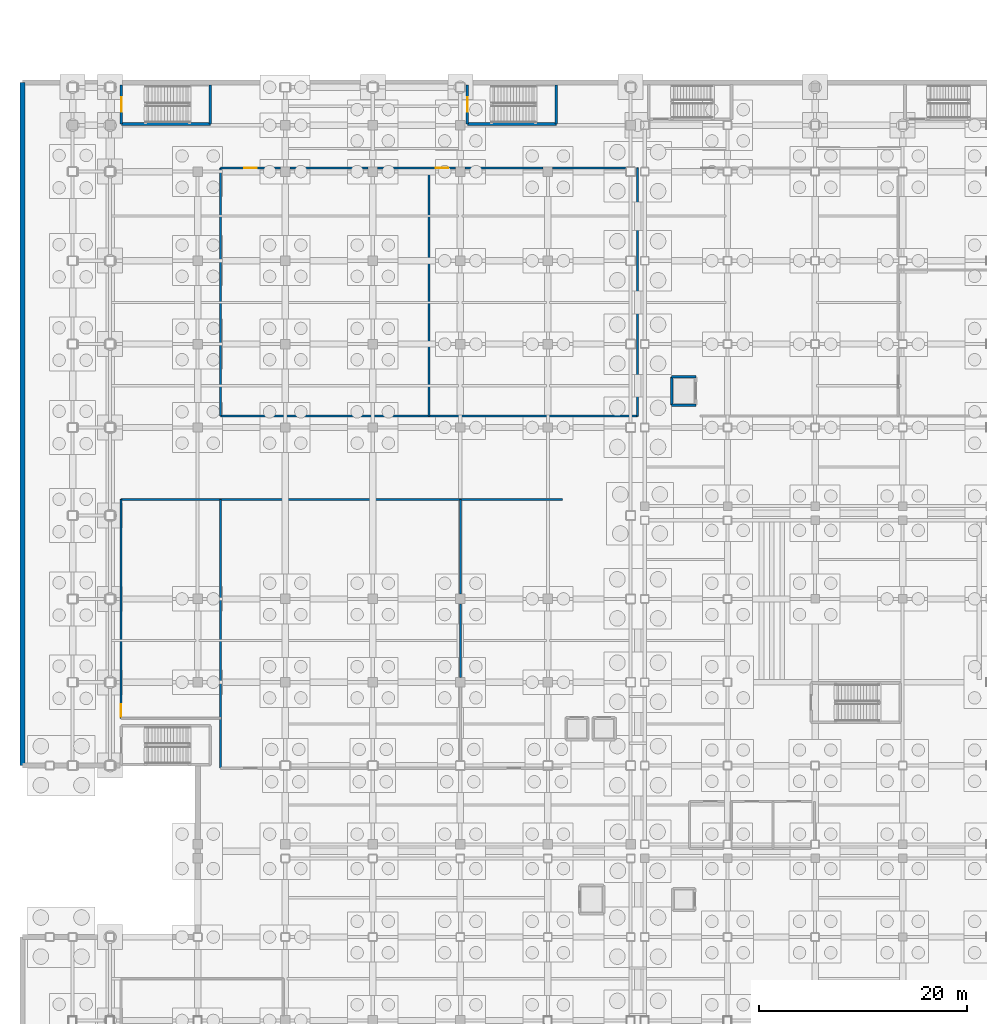
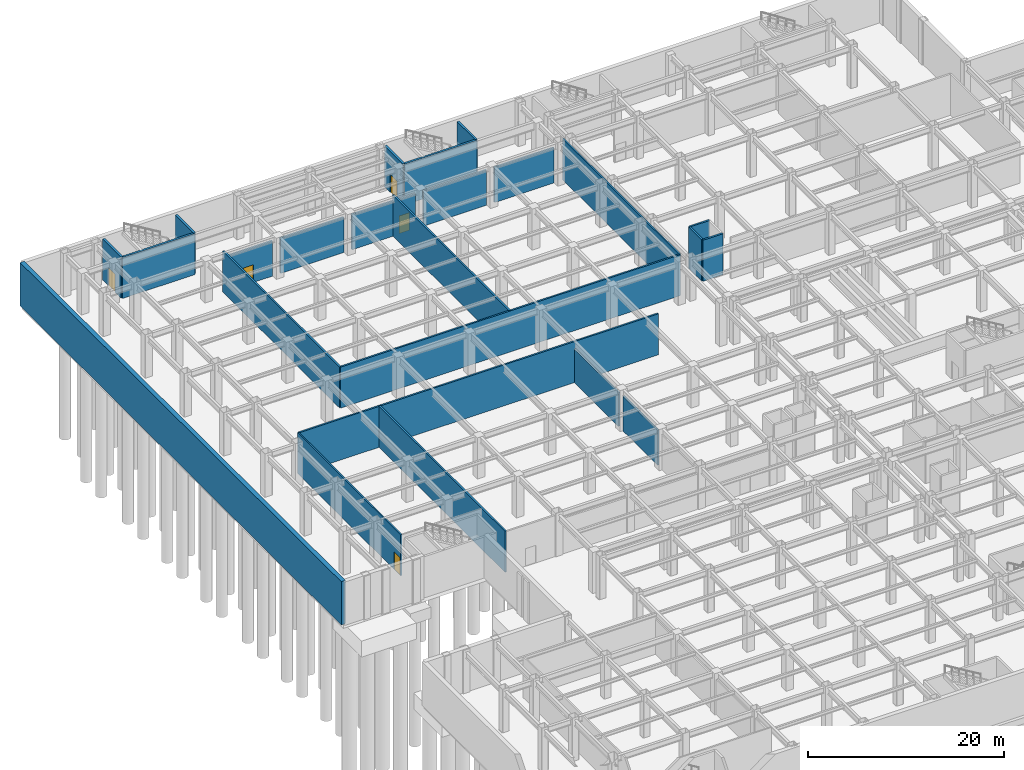
# One storey, part 34 of 55: 24 walls, 5 doors, 5 openings.
"""IFC4 building model written with IfcOpenShell, lengths in metres."""

import ifcopenshell
import ifcopenshell.guid

model = None  # the IFC model being written
_history = None  # IfcOwnerHistory: only IFC2X3 demands one
_inside = {}  # id of a spatial element -> (the spatial element, [elements in it])
_under = {}  # id of a project, library or spatial element -> (it, [spatial elements below it])
_declared = {}  # id of a project -> (the project, [libraries it declares])
_typed = {}  # id of a type object -> (the type object, [elements of that type])
_made_of = {}  # id of a material, layer set ... -> (it, [elements and type objects made of it])


def new_model(schema):
    """Start an empty IFC model of exactly this schema.

    Asked for "IFC4X3", IfcOpenShell would pick the latest addendum, in which some entities
    have other attributes; the version numbers below select the first issue.
    IFC2X3 requires an IfcOwnerHistory on every rooted entity: one is made here for all.
    """
    global model, _history
    if schema == "IFC4X3":
        model = ifcopenshell.file(schema_version=(4, 3, 0, 0))
    else:
        model = ifcopenshell.file(schema=schema)
    _inside.clear()
    _under.clear()
    _declared.clear()
    _typed.clear()
    _made_of.clear()
    _history = None
    if model.schema == "IFC2X3":
        org = make("IfcOrganization", Name="unknown")
        user = make(
            "IfcPersonAndOrganization",
            ThePerson=make("IfcPerson", FamilyName="unknown"),
            TheOrganization=org,
        )
        app = make(
            "IfcApplication",
            ApplicationDeveloper=org,
            Version="unknown",
            ApplicationFullName="unknown",
            ApplicationIdentifier="unknown",
        )
        _history = make(
            "IfcOwnerHistory",
            OwningUser=user,
            OwningApplication=app,
            ChangeAction="ADDED",
            CreationDate=0,
        )
    return model


def make(cls, **values):
    """One entity of the class cls with the attributes given. An attribute that is None is left unset."""
    return model.create_entity(
        cls, **{name: value for name, value in values.items() if value is not None}
    )


def rooted(cls, **values):
    """An entity with a GlobalId (a new one), such as an element, a storey or a relation."""
    return make(cls, GlobalId=ifcopenshell.guid.new(), OwnerHistory=_history, **values)


def si_unit(unit_type, name, prefix=None):
    """IfcSIUnit, for example si_unit("LENGTHUNIT", "METRE", prefix="MILLI")."""
    return make("IfcSIUnit", UnitType=unit_type, Prefix=prefix, Name=name)


def assignment(units):
    """IfcUnitAssignment: the units of a project."""
    return None if units is None else make("IfcUnitAssignment", Units=units)


def point(xyz):
    """IfcCartesianPoint."""
    return None if xyz is None else make("IfcCartesianPoint", Coordinates=xyz)


def direction(xyz):
    """IfcDirection."""
    return None if xyz is None else make("IfcDirection", DirectionRatios=xyz)


def frame(location, z_axis=None, x_axis=None):
    """IfcAxis2Placement3D, a coordinate frame: its origin and axes. An axis left out is left unset."""
    return make(
        "IfcAxis2Placement3D",
        Location=point(location),
        Axis=direction(z_axis),
        RefDirection=direction(x_axis),
    )


def frame_2d(location, x_axis=None):
    """IfcAxis2Placement2D, a coordinate frame in the plane: its origin and x axis."""
    return make(
        "IfcAxis2Placement2D", Location=point(location), RefDirection=direction(x_axis)
    )


def origin():
    """The frame at (0, 0, 0) with its axes left unset."""
    return frame((0.0, 0.0, 0.0))


def place(relative_to, where):
    """IfcLocalPlacement: puts the frame where relative to a parent placement (None: the world)."""
    return make(
        "IfcLocalPlacement", PlacementRelTo=relative_to, RelativePlacement=where
    )


def context(
    kind, dimensions, precision=None, world=None, true_north=None, identifier=None
):
    """IfcGeometricRepresentationContext, for example the 3D "Model" context."""
    return make(
        "IfcGeometricRepresentationContext",
        ContextIdentifier=identifier,
        ContextType=kind,
        CoordinateSpaceDimension=dimensions,
        Precision=precision,
        WorldCoordinateSystem=world,
        TrueNorth=true_north,
    )


def subcontext(parent, identifier, kind, view, scale=None):
    """IfcGeometricRepresentationSubContext, for example "Body" below "Model"."""
    return make(
        "IfcGeometricRepresentationSubContext",
        ContextIdentifier=identifier,
        ContextType=kind,
        ParentContext=parent,
        TargetScale=scale,
        TargetView=view,
    )


def project(units=None, contexts=None):
    """IfcProject with its units and contexts."""
    return rooted(
        "IfcProject",
        Name="project",
        RepresentationContexts=contexts,
        UnitsInContext=assignment(units),
    )


def spatial(cls, under=None, at=None, **own):
    """A site, building, storey or space (cls), placed at a placement, below another one or the project."""
    s = rooted(cls, ObjectPlacement=at, **own)
    if under is not None:
        _under.setdefault(under.id(), (under, []))[1].append(s)
    return s


def profile(cls, at=None, kind="AREA", **sizes):
    """A parametric profile (cls). Its sizes go by their IFC names, for example OverallWidth=200.0."""
    return make(cls, ProfileType=kind, Position=at, **sizes)


def rectangle(**sizes):
    """IfcRectangleProfileDef."""
    return profile("IfcRectangleProfileDef", **sizes)


def extrude(swept, where, along, depth):
    """IfcExtrudedAreaSolid: the profile swept, set in the frame where, extruded along a direction by depth."""
    return make(
        "IfcExtrudedAreaSolid",
        SweptArea=swept,
        Position=where,
        ExtrudedDirection=direction(along),
        Depth=depth,
    )


def shape(context_of_items, identifier, shape_type, items):
    """IfcShapeRepresentation: the items that make up one representation, for example the "Body"."""
    return make(
        "IfcShapeRepresentation",
        ContextOfItems=context_of_items,
        RepresentationIdentifier=identifier,
        RepresentationType=shape_type,
        Items=items,
    )


def material(Name=None, Category=None):
    """IfcMaterial."""
    return make("IfcMaterial", Name=Name, Category=Category)


def layer(
    of_material, thickness, ventilated=None, Name=None, Category=None, Priority=None
):
    """IfcMaterialLayer: one layer of a wall or slab, of a material (None: an air gap)."""
    return make(
        "IfcMaterialLayer",
        Material=of_material,
        LayerThickness=thickness,
        IsVentilated=ventilated,
        Name=Name,
        Category=Category,
        Priority=Priority,
    )


def layer_set(layers, Name=None):
    """IfcMaterialLayerSet."""
    return make("IfcMaterialLayerSet", MaterialLayers=layers, LayerSetName=Name)


def made_of(thing, what):
    """Note that an element or type object is made of a material, layer set ...; save() writes the relation."""
    if what is not None:
        _made_of.setdefault(what.id(), (what, []))[1].append(thing)
    return thing


def type_object(cls, material=None, **own):
    """A type object (cls), such as IfcWallType, which elements share."""
    return made_of(rooted(cls, **own), material)


def element(
    cls,
    number,
    at=None,
    inside=None,
    cuts=None,
    type_object=None,
    material=None,
    context=None,
    identifier="Body",
    shape_type=None,
    held_by="IfcProductDefinitionShape",
    body=None,
    shapes=None,
    **own,
):
    """One element of the class cls, such as IfcWall. Its Tag is "e" and its number.

    at: its placement. inside: the storey or other place that contains it. cuts: it is an
    opening in that element (IfcRelVoidsElement). A single representation is given by context,
    identifier, shape_type and body (its items); several are given by shapes. held_by: the class
    of the entity that holds the representations. save() writes the other relations.
    """
    e = rooted(cls, Tag="e%d" % number, ObjectPlacement=at, **own)
    if body is not None:
        shapes = [shape(context, identifier, shape_type, body)]
    if shapes is not None:
        e.Representation = make(held_by, Representations=shapes)
    if inside is not None:
        _inside.setdefault(inside.id(), (inside, []))[1].append(e)
    if cuts is not None:
        rooted(
            "IfcRelVoidsElement", RelatingBuildingElement=cuts, RelatedOpeningElement=e
        )
    if type_object is not None:
        _typed.setdefault(type_object.id(), (type_object, []))[1].append(e)
    return made_of(e, material)


def fill(opening, filler):
    """IfcRelFillsElement: the door or window that sits in an opening."""
    return rooted(
        "IfcRelFillsElement",
        RelatingOpeningElement=opening,
        RelatedBuildingElement=filler,
    )


def aggregate(whole, parts):
    """IfcRelAggregates: a whole, such as a stair, and the parts it consists of."""
    return rooted("IfcRelAggregates", RelatingObject=whole, RelatedObjects=parts)


def save(model, path):
    """Write the relations noted so far, then the file.

    IfcRelAggregates (storeys below a building ...), IfcRelContainedInSpatialStructure (elements
    in a storey), IfcRelDefinesByType, IfcRelAssociatesMaterial and IfcRelDeclares: one each for
    every whole, place, type object, material and project.
    """
    for whole, parts in _under.values():
        aggregate(whole, parts)
    for where, things in _inside.values():
        rooted(
            "IfcRelContainedInSpatialStructure",
            RelatedElements=things,
            RelatingStructure=where,
        )
    for kind, things in _typed.values():
        rooted("IfcRelDefinesByType", RelatedObjects=things, RelatingType=kind)
    for what, things in _made_of.values():
        rooted("IfcRelAssociatesMaterial", RelatedObjects=things, RelatingMaterial=what)
    for by, libraries in _declared.values():
        rooted("IfcRelDeclares", RelatingContext=by, RelatedDefinitions=libraries)
    model.write(path)


model = new_model("IFC4")

# Units and contexts
model_context = context("Model", 3, precision=1e-05, world=origin(), true_north=direction((0.0, 1.0)))
body_context = subcontext(model_context, "Body", "Model", "MODEL_VIEW")
ifc_project = project(units=[si_unit("LENGTHUNIT", "METRE"), si_unit("AREAUNIT", "SQUARE_METRE"), si_unit("VOLUMEUNIT", "CUBIC_METRE"), si_unit("PLANEANGLEUNIT", "RADIAN"), si_unit("MASSUNIT", "GRAM", prefix="KILO")], contexts=[model_context])

# Site, building, storey
site_placement = place(None, origin())
site = spatial("IfcSite", under=ifc_project, at=site_placement, CompositionType="ELEMENT")
building_placement = place(site_placement, origin())
building = spatial("IfcBuilding", under=site, at=building_placement, Name="Kazehara Bluff Congress Hotel", CompositionType="ELEMENT")
storey_placement = place(building_placement, frame((0.0, 0.0, -5.39990234375)))
storey = spatial("IfcBuildingStorey", under=building, at=storey_placement, Name="B1", CompositionType="ELEMENT", Elevation=-5.39990234375)

# Wall, opening, door
ifc_material_1 = material(Name="Concrete C40/50", Category="concrete")
ifc_layer_1 = layer(ifc_material_1, 0.25)
ifc_layer_set_1 = layer_set([ifc_layer_1], Name="Concrete C40/50")
wall_type_1 = type_object("IfcWallType", Name="TP-CW-RC", PredefinedType="SHEAR", material=ifc_layer_set_1)
wall_1_placement = place(storey_placement, frame((9.47509765625, 110.02490234375, 0.0), z_axis=(0.0, 0.0, 1.0), x_axis=(0.0, 1.0, 0.0)))
wall_1 = element("IfcWall", 1, at=wall_1_placement, inside=storey, type_object=wall_type_1, Name="B1 ST-01 core wall near", PredefinedType="SHEAR", context=body_context, shape_type="SweptSolid", body=[
    extrude(rectangle(XDim=3.75, YDim=0.25, at=frame_2d((1.875, 0.0))), origin(), (0.0, 0.0, 1.0), 5.119873046875),
])
opening_1_placement = place(wall_1_placement, frame((1.175048828125, 0.0, 0.0)))
opening_1 = element("IfcOpeningElement", 2, at=opening_1_placement, cuts=wall_1, Name="Opening FD-03", PredefinedType="OPENING", context=body_context, shape_type="SweptSolid", body=[
    extrude(rectangle(XDim=1.39990234375, YDim=2.25, at=frame_2d((0.699951171875, 1.125))), frame((0.0, 0.135009765625, 0.0), z_axis=(0.0, -1.0, 0.0), x_axis=(1.0, 0.0, 0.0)), (0.0, 0.0, 1.0), 0.27001953125),
])
ifc_material_2 = material(Name="Fire-rated painted steel leaf", Category="steel")
door_type_1 = type_object("IfcDoorType", Name="TP-FD-03", OperationType="NOTDEFINED", PredefinedType="DOOR", material=ifc_material_2)
door_1_placement = place(opening_1_placement, origin())
door_1 = element("IfcDoor", 3, at=door_1_placement, inside=storey, type_object=door_type_1, Name="B1 ST-01 fire stair door", OperationType="SINGLE_SWING_RIGHT", OverallHeight=2.25, OverallWidth=1.39990234375, PredefinedType="DOOR", context=body_context, shape_type="SweptSolid", body=[
    extrude(rectangle(XDim=1.39990234375, YDim=2.25, at=frame_2d((0.699951171875, 1.125))), frame((0.0, 0.02490234375, 0.0), z_axis=(0.0, -1.0, 0.0), x_axis=(1.0, 0.0, 0.0)), (0.0, 0.0, 1.0), 0.050048828125),
])
fill(opening_1, door_1)

# Walls
wall_2_placement = place(storey_placement, frame((18.02490234375, 113.77490234375, 0.0), z_axis=(0.0, 0.0, 1.0), x_axis=(0.0, -1.0, 0.0)))
element("IfcWall", 4, at=wall_2_placement, inside=storey, type_object=wall_type_1, Name="B1 ST-01 core wall far", PredefinedType="SHEAR", context=body_context, shape_type="SweptSolid", body=[
    extrude(rectangle(XDim=3.75, YDim=0.25, at=frame_2d((1.875, 0.0))), origin(), (0.0, 0.0, 1.0), 5.119873046875),
])
wall_3_placement = place(storey_placement, frame((18.02490234375, 110.02490234375, 0.0), z_axis=(0.0, 0.0, 1.0), x_axis=(-1.0, 0.0, 0.0)))
element("IfcWall", 5, at=wall_3_placement, inside=storey, type_object=wall_type_1, Name="B1 ST-01 core wall left", PredefinedType="SHEAR", context=body_context, shape_type="SweptSolid", body=[
    extrude(rectangle(XDim=8.5498046875, YDim=0.25, at=frame_2d((4.27490234375, 0.0))), origin(), (0.0, 0.0, 1.0), 5.119873046875),
])

# Wall, opening, door
wall_4_placement = place(storey_placement, frame((42.675048828125, 110.02490234375, 0.0), z_axis=(0.0, 0.0, 1.0), x_axis=(0.0, 1.0, 0.0)))
wall_4 = element("IfcWall", 6, at=wall_4_placement, inside=storey, type_object=wall_type_1, Name="B1 ST-02 core wall near", PredefinedType="SHEAR", context=body_context, shape_type="SweptSolid", body=[
    extrude(rectangle(XDim=3.75, YDim=0.25, at=frame_2d((1.875, 0.0))), origin(), (0.0, 0.0, 1.0), 5.119873046875),
])
opening_2_placement = place(wall_4_placement, frame((1.175048828125, 0.0, 0.0)))
opening_2 = element("IfcOpeningElement", 7, at=opening_2_placement, cuts=wall_4, Name="Opening FD-03", PredefinedType="OPENING", context=body_context, shape_type="SweptSolid", body=[
    extrude(rectangle(XDim=1.39990234375, YDim=2.25, at=frame_2d((0.699951171875, 1.125))), frame((0.0, 0.135009765625, 0.0), z_axis=(0.0, -1.0, 0.0), x_axis=(1.0, 0.0, 0.0)), (0.0, 0.0, 1.0), 0.27001953125),
])
door_2_placement = place(opening_2_placement, origin())
door_2 = element("IfcDoor", 8, at=door_2_placement, inside=storey, type_object=door_type_1, Name="B1 ST-02 fire stair door", OperationType="SINGLE_SWING_LEFT", OverallHeight=2.25, OverallWidth=1.39990234375, PredefinedType="DOOR", context=body_context, shape_type="SweptSolid", body=[
    extrude(rectangle(XDim=1.39990234375, YDim=2.25, at=frame_2d((0.699951171875, 1.125))), frame((0.0, 0.02490234375, 0.0), z_axis=(0.0, -1.0, 0.0), x_axis=(1.0, 0.0, 0.0)), (0.0, 0.0, 1.0), 0.050048828125),
])
fill(opening_2, door_2)

# Walls
wall_5_placement = place(storey_placement, frame((51.22509765625, 113.77490234375, 0.0), z_axis=(0.0, 0.0, 1.0), x_axis=(0.0, -1.0, 0.0)))
element("IfcWall", 9, at=wall_5_placement, inside=storey, type_object=wall_type_1, Name="B1 ST-02 core wall far", PredefinedType="SHEAR", context=body_context, shape_type="SweptSolid", body=[
    extrude(rectangle(XDim=3.75, YDim=0.25, at=frame_2d((1.875, 0.0))), origin(), (0.0, 0.0, 1.0), 5.119873046875),
])
wall_6_placement = place(storey_placement, frame((51.22509765625, 110.02490234375, 0.0), z_axis=(0.0, 0.0, 1.0), x_axis=(-1.0, 0.0, 0.0)))
element("IfcWall", 10, at=wall_6_placement, inside=storey, type_object=wall_type_1, Name="B1 ST-02 core wall left", PredefinedType="SHEAR", context=body_context, shape_type="SweptSolid", body=[
    extrude(rectangle(XDim=8.550048828125, YDim=0.25, at=frame_2d((4.27490234375, 0.0))), origin(), (0.0, 0.0, 1.0), 5.119873046875),
])
ifc_material_3 = material(Name="Concrete C40/50", Category="concrete")
ifc_layer_2 = layer(ifc_material_3, 0.199951171875)
ifc_layer_set_2 = layer_set([ifc_layer_2], Name="Concrete C40/50")
wall_type_2 = type_object("IfcWallType", Name="TP-FW-RC", PredefinedType="SOLIDWALL", material=ifc_layer_set_2)
wall_7_placement = place(storey_placement, frame((9.449951171875, 74.0, 0.0), z_axis=(0.0, 0.0, 1.0), x_axis=(1.0, 0.0, 0.0)))
element("IfcWall", 11, at=wall_7_placement, inside=storey, type_object=wall_type_2, Name="B1 partition FW-RC 15", PredefinedType="SOLIDWALL", context=body_context, shape_type="SweptSolid", body=[
    extrude(rectangle(XDim=42.35009765625, YDim=0.199951171875, at=frame_2d((21.175048828125, 0.0))), origin(), (0.0, 0.0, 1.0), 5.10498046875),
])
wall_8_placement = place(storey_placement, frame((19.0, 82.0, 0.0), z_axis=(0.0, 0.0, 1.0), x_axis=(1.0, 0.0, 0.0)))
element("IfcWall", 12, at=wall_8_placement, inside=storey, type_object=wall_type_2, Name="B1 partition FW-RC 16", PredefinedType="SOLIDWALL", context=body_context, shape_type="SweptSolid", body=[
    extrude(rectangle(XDim=40.0, YDim=0.199951171875, at=frame_2d((20.0, 0.0))), origin(), (0.0, 0.0, 1.0), 5.10498046875),
])

# Wall, opening, door
wall_9_placement = place(storey_placement, frame((19.0, 105.800048828125, 0.0), z_axis=(0.0, 0.0, 1.0), x_axis=(1.0, 0.0, 0.0)))
wall_9 = element("IfcWall", 13, at=wall_9_placement, inside=storey, type_object=wall_type_2, Name="B1 partition FW-RC 20", PredefinedType="SOLIDWALL", context=body_context, shape_type="SweptSolid", body=[
    extrude(rectangle(XDim=5.72998046875, YDim=0.199951171875, at=frame_2d((2.864990234375, 0.0))), origin(), (0.0, 0.0, 1.0), 4.39501953125),
])
opening_3_placement = place(wall_9_placement, frame((2.264892578125, 0.0, 0.0)))
opening_3 = element("IfcOpeningElement", 14, at=opening_3_placement, cuts=wall_9, Name="Opening FD-02", PredefinedType="OPENING", context=body_context, shape_type="SweptSolid", body=[
    extrude(rectangle(XDim=1.199951171875, YDim=2.199951171875, at=frame_2d((0.60009765625, 1.10009765625))), frame((0.0, 0.10986328125, 0.0), z_axis=(0.0, -1.0, 0.0), x_axis=(1.0, 0.0, 0.0)), (0.0, 0.0, 1.0), 0.219970703125),
])
ifc_material_4 = material(Name="Fire-rated painted steel leaf", Category="steel")
door_type_2 = type_object("IfcDoorType", Name="TP-FD-02", OperationType="NOTDEFINED", PredefinedType="DOOR", material=ifc_material_4)
door_3_placement = place(opening_3_placement, origin())
door_3 = element("IfcDoor", 15, at=door_3_placement, inside=storey, type_object=door_type_2, Name="B1 Fire Sprinkler Tank and Hydrant Pump Plant door", OperationType="SINGLE_SWING_LEFT", OverallHeight=2.199951171875, OverallWidth=1.199951171875, PredefinedType="DOOR", context=body_context, shape_type="SweptSolid", body=[
    extrude(rectangle(XDim=1.199951171875, YDim=2.199951171875, at=frame_2d((0.60009765625, 1.10009765625))), frame((0.0, 0.02490234375, 0.0), z_axis=(0.0, -1.0, 0.0), x_axis=(1.0, 0.0, 0.0)), (0.0, 0.0, 1.0), 0.050048828125),
])
fill(opening_3, door_3)

# Wall
wall_10_placement = place(storey_placement, frame((25.669921875, 105.800048828125, 0.0), z_axis=(0.0, 0.0, 1.0), x_axis=(1.0, 0.0, 0.0)))
element("IfcWall", 16, at=wall_10_placement, inside=storey, type_object=wall_type_2, Name="B1 partition FW-RC 21", PredefinedType="SOLIDWALL", context=body_context, shape_type="SweptSolid", body=[
    extrude(rectangle(XDim=7.4599609375, YDim=0.199951171875, at=frame_2d((3.72998046875, 0.0))), origin(), (0.0, 0.0, 1.0), 4.39501953125),
])

# Wall, opening, door
wall_11_placement = place(storey_placement, frame((34.070068359375, 105.800048828125, 0.0), z_axis=(0.0, 0.0, 1.0), x_axis=(1.0, 0.0, 0.0)))
wall_11 = element("IfcWall", 17, at=wall_11_placement, inside=storey, type_object=wall_type_2, Name="B1 partition FW-RC 22", PredefinedType="SOLIDWALL", context=body_context, shape_type="SweptSolid", body=[
    extrude(rectangle(XDim=7.4599609375, YDim=0.199951171875, at=frame_2d((3.72998046875, 0.0))), origin(), (0.0, 0.0, 1.0), 4.39501953125),
])
opening_4_placement = place(wall_11_placement, frame((5.594970703125, 0.0, 0.0)))
opening_4 = element("IfcOpeningElement", 18, at=opening_4_placement, cuts=wall_11, Name="Opening FD-02", PredefinedType="OPENING", context=body_context, shape_type="SweptSolid", body=[
    extrude(rectangle(XDim=1.199951171875, YDim=2.199951171875, at=frame_2d((0.60009765625, 1.10009765625))), frame((0.0, 0.10986328125, 0.0), z_axis=(0.0, -1.0, 0.0), x_axis=(1.0, 0.0, 0.0)), (0.0, 0.0, 1.0), 0.219970703125),
])
door_4_placement = place(opening_4_placement, origin())
door_4 = element("IfcDoor", 19, at=door_4_placement, inside=storey, type_object=door_type_2, Name="B1 Cold Storage and Dry Provision Store door", OperationType="SINGLE_SWING_LEFT", OverallHeight=2.199951171875, OverallWidth=1.199951171875, PredefinedType="DOOR", context=body_context, shape_type="SweptSolid", body=[
    extrude(rectangle(XDim=1.199951171875, YDim=2.199951171875, at=frame_2d((0.60009765625, 1.10009765625))), frame((0.0, 0.02490234375, 0.0), z_axis=(0.0, -1.0, 0.0), x_axis=(1.0, 0.0, 0.0)), (0.0, 0.0, 1.0), 0.050048828125),
])
fill(opening_4, door_4)

# Walls
wall_12_placement = place(storey_placement, frame((42.469970703125, 105.800048828125, 0.0), z_axis=(0.0, 0.0, 1.0), x_axis=(1.0, 0.0, 0.0)))
element("IfcWall", 20, at=wall_12_placement, inside=storey, type_object=wall_type_2, Name="B1 partition FW-RC 23", PredefinedType="SOLIDWALL", context=body_context, shape_type="SweptSolid", body=[
    extrude(rectangle(XDim=7.4599609375, YDim=0.199951171875, at=frame_2d((3.72998046875, 0.0))), origin(), (0.0, 0.0, 1.0), 4.39501953125),
])
wall_13_placement = place(storey_placement, frame((50.8701171875, 105.800048828125, 0.0), z_axis=(0.0, 0.0, 1.0), x_axis=(1.0, 0.0, 0.0)))
element("IfcWall", 21, at=wall_13_placement, inside=storey, type_object=wall_type_2, Name="B1 partition FW-RC 24", PredefinedType="SOLIDWALL", context=body_context, shape_type="SweptSolid", body=[
    extrude(rectangle(XDim=7.009765625, YDim=0.199951171875, at=frame_2d((3.5048828125, 0.0))), origin(), (0.0, 0.0, 1.0), 4.39501953125),
])
wall_14_placement = place(storey_placement, frame((19.0, 48.199951171875, 0.0), z_axis=(0.0, 0.0, 1.0), x_axis=(0.0, 1.0, 0.0)))
element("IfcWall", 22, at=wall_14_placement, inside=storey, type_object=wall_type_2, Name="B1 partition FW-RC 30", PredefinedType="SOLIDWALL", context=body_context, shape_type="SweptSolid", body=[
    extrude(rectangle(XDim=25.800048828125, YDim=0.199951171875, at=frame_2d((12.89990234375, 0.0))), origin(), (0.0, 0.0, 1.0), 5.10498046875),
])
for number, where, z_axis, x_axis, name in (
    (23, (19.0, 82.0, 0.0), (0.0, 0.0, 1.0), (0.0, 1.0, 0.0), "B1 partition FW-RC 31"),
    (24, (39.0, 82.0, 0.0), (0.0, 0.0, 1.0), (0.0, 1.0, 0.0), "B1 partition FW-RC 36"),
):
    element("IfcWall", number, at=place(storey_placement, frame(where, z_axis=z_axis, x_axis=x_axis)), inside=storey, type_object=wall_type_2, Name=name, PredefinedType="SOLIDWALL", context=body_context, shape_type="SweptSolid", body=[
        extrude(rectangle(XDim=23.800048828125, YDim=0.199951171875, at=frame_2d((11.89990234375, 0.0))), origin(), (0.0, 0.0, 1.0), 5.10498046875),
    ])
wall_15_placement = place(storey_placement, frame((42.0, 56.919921875, 0.0), z_axis=(0.0, 0.0, 1.0), x_axis=(0.0, 1.0, 0.0)))
element("IfcWall", 25, at=wall_15_placement, inside=storey, type_object=wall_type_2, Name="B1 partition FW-RC 38", PredefinedType="SOLIDWALL", context=body_context, shape_type="SweptSolid", body=[
    extrude(rectangle(XDim=7.06005859375, YDim=0.199951171875, at=frame_2d((3.530029296875, 0.0))), origin(), (0.0, 0.0, 1.0), 4.344970703125),
])
wall_16_placement = place(storey_placement, frame((42.0, 64.919921875, 0.0), z_axis=(0.0, 0.0, 1.0), x_axis=(0.0, 1.0, 0.0)))
element("IfcWall", 26, at=wall_16_placement, inside=storey, type_object=wall_type_2, Name="B1 partition FW-RC 39", PredefinedType="SOLIDWALL", context=body_context, shape_type="SweptSolid", body=[
    extrude(rectangle(XDim=9.080078125, YDim=0.199951171875, at=frame_2d((4.5400390625, 0.0))), origin(), (0.0, 0.0, 1.0), 4.19482421875),
])

# Wall, opening, door
ifc_material_5 = material(Name="Fire-rated gypsum board stud partition")
ifc_layer_3 = layer(ifc_material_5, 0.169921875)
ifc_layer_set_3 = layer_set([ifc_layer_3], Name="Fire-rated gypsum board stud partition")
wall_type_3 = type_object("IfcWallType", Name="TP-PT-180", PredefinedType="PARTITIONING", material=ifc_layer_set_3)
wall_17_placement = place(storey_placement, frame((9.449951171875, 53.0, 0.0), z_axis=(0.0, 0.0, 1.0), x_axis=(0.0, 1.0, 0.0)))
wall_17 = element("IfcWall", 27, at=wall_17_placement, inside=storey, type_object=wall_type_3, Name="B1 partition PT-180 29", PredefinedType="PARTITIONING", context=body_context, shape_type="SweptSolid", body=[
    extrude(rectangle(XDim=21.0, YDim=0.169921875, at=frame_2d((10.5, 0.0))), origin(), (0.0, 0.0, 1.0), 5.10498046875),
])
opening_5_placement = place(wall_17_placement, frame((0.1201171875, 0.0, 0.0)))
opening_5 = element("IfcOpeningElement", 28, at=opening_5_placement, cuts=wall_17, Name="Opening FD-02", PredefinedType="OPENING", context=body_context, shape_type="SweptSolid", body=[
    extrude(rectangle(XDim=1.199951171875, YDim=2.199951171875, at=frame_2d((0.60009765625, 1.10009765625))), frame((0.0, 0.094970703125, 0.0), z_axis=(0.0, -1.0, 0.0), x_axis=(1.0, 0.0, 0.0)), (0.0, 0.0, 1.0), 0.18994140625),
])
door_5_placement = place(opening_5_placement, origin())
door_5 = element("IfcDoor", 29, at=door_5_placement, inside=storey, type_object=door_type_2, Name="B1 Congress Stage Scenery and Rigging Store door", OperationType="SINGLE_SWING_LEFT", OverallHeight=2.199951171875, OverallWidth=1.199951171875, PredefinedType="DOOR", context=body_context, shape_type="SweptSolid", body=[
    extrude(rectangle(XDim=1.199951171875, YDim=2.199951171875, at=frame_2d((0.60009765625, 1.10009765625))), frame((0.0, 0.02490234375, 0.0), z_axis=(0.0, -1.0, 0.0), x_axis=(1.0, 0.0, 0.0)), (0.0, 0.0, 1.0), 0.050048828125),
])
fill(opening_5, door_5)

# Walls
wall_18_placement = place(storey_placement, frame((59.0, 82.0, 0.0), z_axis=(0.0, 0.0, 1.0), x_axis=(0.0, 1.0, 0.0)))
element("IfcWall", 30, at=wall_18_placement, inside=storey, type_object=wall_type_3, Name="B1 partition PT-180 40", PredefinedType="PARTITIONING", context=body_context, shape_type="SweptSolid", body=[
    extrude(rectangle(XDim=23.800048828125, YDim=0.169921875, at=frame_2d((11.89990234375, 0.0))), origin(), (0.0, 0.0, 1.0), 5.10498046875),
])
ifc_material_6 = material(Name="Concrete C40/50", Category="concrete")
ifc_layer_4 = layer(ifc_material_6, 0.5)
ifc_layer_set_4 = layer_set([ifc_layer_4], Name="Concrete C40/50")
wall_type_4 = type_object("IfcWallType", Name="TP-RW-500", PredefinedType="USERDEFINED", material=ifc_layer_set_4)
wall_19_placement = place(storey_placement, frame((0.0, 114.0, 0.0), z_axis=(0.0, 0.0, 1.0), x_axis=(0.0, -1.0, 0.0)))
element("IfcWall", 31, at=wall_19_placement, inside=storey, type_object=wall_type_4, Name="Basement perimeter retaining wall 12", ObjectType="RETAININGWALL", PredefinedType="USERDEFINED", context=body_context, shape_type="SweptSolid", body=[
    extrude(rectangle(XDim=65.550048828125, YDim=0.5, at=frame_2d((32.77490234375, 0.0))), origin(), (0.0, 0.0, 1.0), 5.39990234375),
])
ifc_material_7 = material(Name="Concrete C40/50", Category="concrete")
ifc_layer_5 = layer(ifc_material_7, 0.219970703125)
ifc_layer_set_5 = layer_set([ifc_layer_5], Name="Concrete C40/50")
wall_type_5 = type_object("IfcWallType", Name="TP-SW-RC", PredefinedType="SHEAR", material=ifc_layer_set_5)
for number, where, z_axis, x_axis, name in (
    (32, (62.2900390625, 85.760009765625, 0.0), (0.0, 0.0, 1.0), (1.0, 0.0, 0.0), "B1 EL-S2 lift shaft wall +Y"),
    (33, (62.2900390625, 83.0400390625, 0.0), (0.0, 0.0, 1.0), (1.0, 0.0, 0.0), "B1 EL-S2 lift shaft wall -Y"),
):
    element("IfcWall", number, at=place(storey_placement, frame(where, z_axis=z_axis, x_axis=x_axis)), inside=storey, type_object=wall_type_5, Name=name, PredefinedType="SHEAR", context=body_context, shape_type="SweptSolid", body=[
        extrude(rectangle(XDim=2.320068359375, YDim=0.219970703125, at=frame_2d((1.16015625, 0.0))), origin(), (0.0, 0.0, 1.0), 5.119873046875),
    ])
wall_20_placement = place(storey_placement, frame((62.2900390625, 83.0400390625, 0.0), z_axis=(0.0, 0.0, 1.0), x_axis=(0.0, 1.0, 0.0)))
element("IfcWall", 34, at=wall_20_placement, inside=storey, type_object=wall_type_5, Name="B1 EL-S2 lift shaft wall -X", PredefinedType="SHEAR", context=body_context, shape_type="SweptSolid", body=[
    extrude(rectangle(XDim=2.719970703125, YDim=0.219970703125, at=frame_2d((1.35986328125, 0.0))), origin(), (0.0, 0.0, 1.0), 5.119873046875),
])

save(model, "model.ifc")
